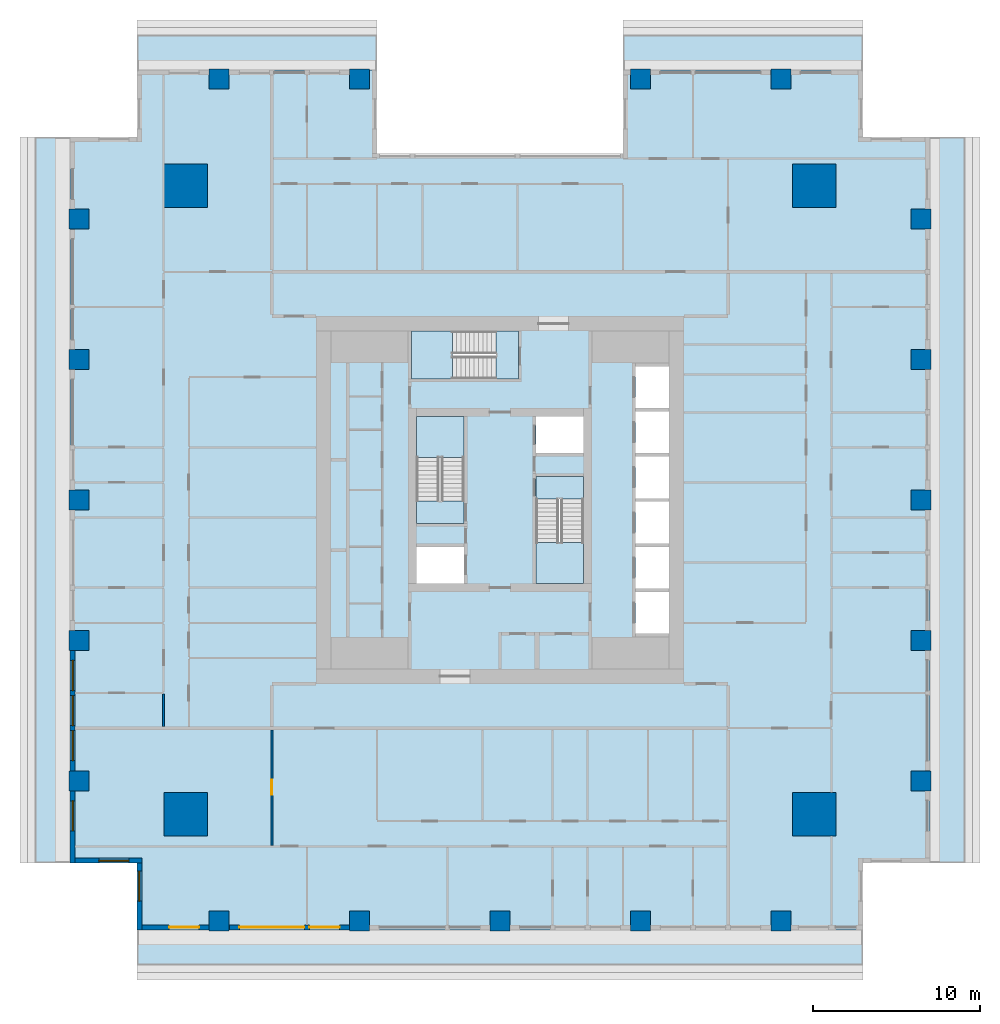
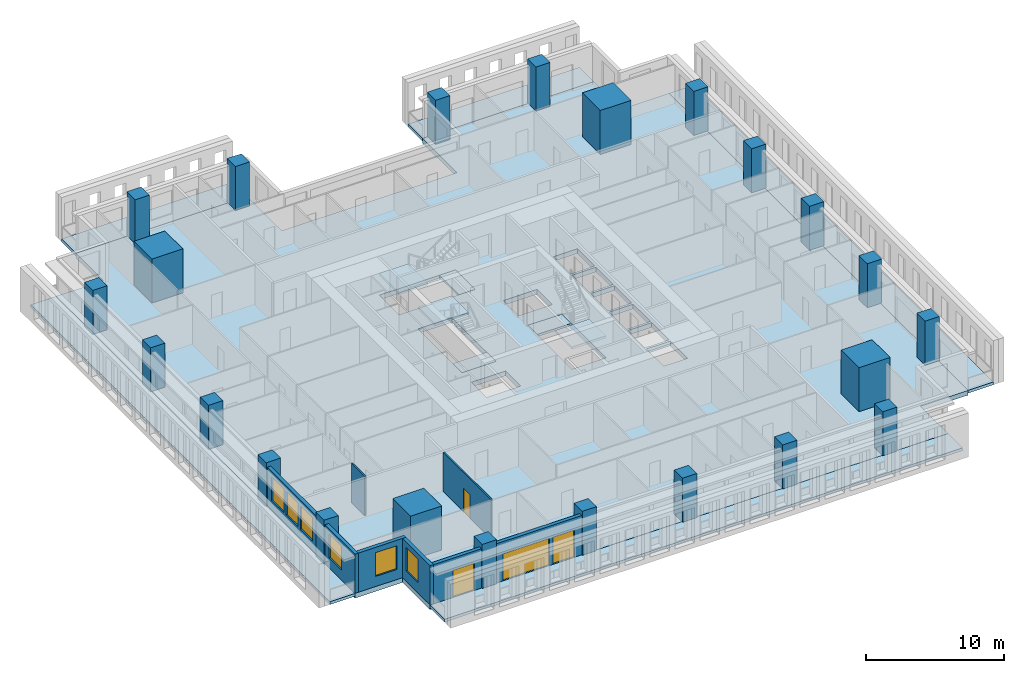
# One storey, part 1 of 16: 23 columns, 12 slabs, 8 walls, 6 windows, 4 doors, 10 openings, 3 elements without a shape of their own.
"""IFC4 building model written with IfcOpenShell, lengths in metres."""

import ifcopenshell
import ifcopenshell.guid

model = None  # the IFC model being written
_history = None  # IfcOwnerHistory: only IFC2X3 demands one
_inside = {}  # id of a spatial element -> (the spatial element, [elements in it])
_under = {}  # id of a project, library or spatial element -> (it, [spatial elements below it])
_declared = {}  # id of a project -> (the project, [libraries it declares])
_typed = {}  # id of a type object -> (the type object, [elements of that type])
_made_of = {}  # id of a material, layer set ... -> (it, [elements and type objects made of it])


def new_model(schema):
    """Start an empty IFC model of exactly this schema.

    Asked for "IFC4X3", IfcOpenShell would pick the latest addendum, in which some entities
    have other attributes; the version numbers below select the first issue.
    IFC2X3 requires an IfcOwnerHistory on every rooted entity: one is made here for all.
    """
    global model, _history
    if schema == "IFC4X3":
        model = ifcopenshell.file(schema_version=(4, 3, 0, 0))
    else:
        model = ifcopenshell.file(schema=schema)
    _inside.clear()
    _under.clear()
    _declared.clear()
    _typed.clear()
    _made_of.clear()
    _history = None
    if model.schema == "IFC2X3":
        org = make("IfcOrganization", Name="unknown")
        user = make(
            "IfcPersonAndOrganization",
            ThePerson=make("IfcPerson", FamilyName="unknown"),
            TheOrganization=org,
        )
        app = make(
            "IfcApplication",
            ApplicationDeveloper=org,
            Version="unknown",
            ApplicationFullName="unknown",
            ApplicationIdentifier="unknown",
        )
        _history = make(
            "IfcOwnerHistory",
            OwningUser=user,
            OwningApplication=app,
            ChangeAction="ADDED",
            CreationDate=0,
        )
    return model


def make(cls, **values):
    """One entity of the class cls with the attributes given. An attribute that is None is left unset."""
    return model.create_entity(
        cls, **{name: value for name, value in values.items() if value is not None}
    )


def rooted(cls, **values):
    """An entity with a GlobalId (a new one), such as an element, a storey or a relation."""
    return make(cls, GlobalId=ifcopenshell.guid.new(), OwnerHistory=_history, **values)


def si_unit(unit_type, name, prefix=None):
    """IfcSIUnit, for example si_unit("LENGTHUNIT", "METRE", prefix="MILLI")."""
    return make("IfcSIUnit", UnitType=unit_type, Prefix=prefix, Name=name)


def assignment(units):
    """IfcUnitAssignment: the units of a project."""
    return None if units is None else make("IfcUnitAssignment", Units=units)


def point(xyz):
    """IfcCartesianPoint."""
    return None if xyz is None else make("IfcCartesianPoint", Coordinates=xyz)


def direction(xyz):
    """IfcDirection."""
    return None if xyz is None else make("IfcDirection", DirectionRatios=xyz)


def frame(location, z_axis=None, x_axis=None):
    """IfcAxis2Placement3D, a coordinate frame: its origin and axes. An axis left out is left unset."""
    return make(
        "IfcAxis2Placement3D",
        Location=point(location),
        Axis=direction(z_axis),
        RefDirection=direction(x_axis),
    )


def frame_2d(location, x_axis=None):
    """IfcAxis2Placement2D, a coordinate frame in the plane: its origin and x axis."""
    return make(
        "IfcAxis2Placement2D", Location=point(location), RefDirection=direction(x_axis)
    )


def origin():
    """The frame at (0, 0, 0) with its axes left unset."""
    return frame((0.0, 0.0, 0.0))


def origin_2d():
    """The frame at (0, 0) in the plane with its x axis left unset."""
    return frame_2d((0.0, 0.0))


def place(relative_to, where):
    """IfcLocalPlacement: puts the frame where relative to a parent placement (None: the world)."""
    return make(
        "IfcLocalPlacement", PlacementRelTo=relative_to, RelativePlacement=where
    )


def context(
    kind, dimensions, precision=None, world=None, true_north=None, identifier=None
):
    """IfcGeometricRepresentationContext, for example the 3D "Model" context."""
    return make(
        "IfcGeometricRepresentationContext",
        ContextIdentifier=identifier,
        ContextType=kind,
        CoordinateSpaceDimension=dimensions,
        Precision=precision,
        WorldCoordinateSystem=world,
        TrueNorth=true_north,
    )


def subcontext(parent, identifier, kind, view, scale=None):
    """IfcGeometricRepresentationSubContext, for example "Body" below "Model"."""
    return make(
        "IfcGeometricRepresentationSubContext",
        ContextIdentifier=identifier,
        ContextType=kind,
        ParentContext=parent,
        TargetScale=scale,
        TargetView=view,
    )


def project(units=None, contexts=None):
    """IfcProject with its units and contexts."""
    return rooted(
        "IfcProject",
        Name="project",
        RepresentationContexts=contexts,
        UnitsInContext=assignment(units),
    )


def spatial(cls, under=None, at=None, **own):
    """A site, building, storey or space (cls), placed at a placement, below another one or the project."""
    s = rooted(cls, ObjectPlacement=at, **own)
    if under is not None:
        _under.setdefault(under.id(), (under, []))[1].append(s)
    return s


def polyline(points):
    """IfcPolyline through the points."""
    return make("IfcPolyline", Points=[point(p) for p in points])


def profile(cls, at=None, kind="AREA", **sizes):
    """A parametric profile (cls). Its sizes go by their IFC names, for example OverallWidth=200.0."""
    return make(cls, ProfileType=kind, Position=at, **sizes)


def rectangle(**sizes):
    """IfcRectangleProfileDef."""
    return profile("IfcRectangleProfileDef", **sizes)


def outline(outer, holes=None, kind="AREA"):
    """IfcArbitraryClosedProfileDef: a profile drawn as a closed curve; with holes, ...WithVoids."""
    if holes is None:
        return make("IfcArbitraryClosedProfileDef", ProfileType=kind, OuterCurve=outer)
    return make(
        "IfcArbitraryProfileDefWithVoids",
        ProfileType=kind,
        OuterCurve=outer,
        InnerCurves=holes,
    )


def extrude(swept, where, along, depth):
    """IfcExtrudedAreaSolid: the profile swept, set in the frame where, extruded along a direction by depth."""
    return make(
        "IfcExtrudedAreaSolid",
        SweptArea=swept,
        Position=where,
        ExtrudedDirection=direction(along),
        Depth=depth,
    )


def shape(context_of_items, identifier, shape_type, items):
    """IfcShapeRepresentation: the items that make up one representation, for example the "Body"."""
    return make(
        "IfcShapeRepresentation",
        ContextOfItems=context_of_items,
        RepresentationIdentifier=identifier,
        RepresentationType=shape_type,
        Items=items,
    )


def material(Name=None, Category=None):
    """IfcMaterial."""
    return make("IfcMaterial", Name=Name, Category=Category)


def layer(
    of_material, thickness, ventilated=None, Name=None, Category=None, Priority=None
):
    """IfcMaterialLayer: one layer of a wall or slab, of a material (None: an air gap)."""
    return make(
        "IfcMaterialLayer",
        Material=of_material,
        LayerThickness=thickness,
        IsVentilated=ventilated,
        Name=Name,
        Category=Category,
        Priority=Priority,
    )


def layer_set(layers, Name=None):
    """IfcMaterialLayerSet."""
    return make("IfcMaterialLayerSet", MaterialLayers=layers, LayerSetName=Name)


def material_profile(
    of_material, cross_section, Name=None, Category=None, Priority=None
):
    """IfcMaterialProfile: a cross section and its material."""
    return make(
        "IfcMaterialProfile",
        Name=Name,
        Material=of_material,
        Profile=cross_section,
        Priority=Priority,
        Category=Category,
    )


def profile_set(profiles, Name=None, composite=None):
    """IfcMaterialProfileSet."""
    return make(
        "IfcMaterialProfileSet",
        Name=Name,
        MaterialProfiles=profiles,
        CompositeProfile=composite,
    )


def made_of(thing, what):
    """Note that an element or type object is made of a material, layer set ...; save() writes the relation."""
    if what is not None:
        _made_of.setdefault(what.id(), (what, []))[1].append(thing)
    return thing


def type_object(cls, material=None, **own):
    """A type object (cls), such as IfcWallType, which elements share."""
    return made_of(rooted(cls, **own), material)


def element(
    cls,
    number,
    at=None,
    inside=None,
    cuts=None,
    type_object=None,
    material=None,
    context=None,
    identifier="Body",
    shape_type=None,
    held_by="IfcProductDefinitionShape",
    body=None,
    shapes=None,
    **own,
):
    """One element of the class cls, such as IfcWall. Its Tag is "e" and its number.

    at: its placement. inside: the storey or other place that contains it. cuts: it is an
    opening in that element (IfcRelVoidsElement). A single representation is given by context,
    identifier, shape_type and body (its items); several are given by shapes. held_by: the class
    of the entity that holds the representations. save() writes the other relations.
    """
    e = rooted(cls, Tag="e%d" % number, ObjectPlacement=at, **own)
    if body is not None:
        shapes = [shape(context, identifier, shape_type, body)]
    if shapes is not None:
        e.Representation = make(held_by, Representations=shapes)
    if inside is not None:
        _inside.setdefault(inside.id(), (inside, []))[1].append(e)
    if cuts is not None:
        rooted(
            "IfcRelVoidsElement", RelatingBuildingElement=cuts, RelatedOpeningElement=e
        )
    if type_object is not None:
        _typed.setdefault(type_object.id(), (type_object, []))[1].append(e)
    return made_of(e, material)


def fill(opening, filler):
    """IfcRelFillsElement: the door or window that sits in an opening."""
    return rooted(
        "IfcRelFillsElement",
        RelatingOpeningElement=opening,
        RelatedBuildingElement=filler,
    )


def aggregate(whole, parts):
    """IfcRelAggregates: a whole, such as a stair, and the parts it consists of."""
    return rooted("IfcRelAggregates", RelatingObject=whole, RelatedObjects=parts)


def save(model, path):
    """Write the relations noted so far, then the file.

    IfcRelAggregates (storeys below a building ...), IfcRelContainedInSpatialStructure (elements
    in a storey), IfcRelDefinesByType, IfcRelAssociatesMaterial and IfcRelDeclares: one each for
    every whole, place, type object, material and project.
    """
    for whole, parts in _under.values():
        aggregate(whole, parts)
    for where, things in _inside.values():
        rooted(
            "IfcRelContainedInSpatialStructure",
            RelatedElements=things,
            RelatingStructure=where,
        )
    for kind, things in _typed.values():
        rooted("IfcRelDefinesByType", RelatedObjects=things, RelatingType=kind)
    for what, things in _made_of.values():
        rooted("IfcRelAssociatesMaterial", RelatedObjects=things, RelatingMaterial=what)
    for by, libraries in _declared.values():
        rooted("IfcRelDeclares", RelatingContext=by, RelatedDefinitions=libraries)
    model.write(path)


model = new_model("IFC4")

# Units and contexts
model_context = context("Model", 3, precision=1e-05, world=origin(), true_north=direction((0.0, 1.0)))
body_context = subcontext(model_context, "Body", "Model", "MODEL_VIEW")
ifc_project = project(units=[si_unit("LENGTHUNIT", "METRE"), si_unit("AREAUNIT", "SQUARE_METRE"), si_unit("VOLUMEUNIT", "CUBIC_METRE"), si_unit("PLANEANGLEUNIT", "RADIAN"), si_unit("MASSUNIT", "GRAM", prefix="KILO")], contexts=[model_context])

# Site, building, storey
site_placement = place(None, origin())
site = spatial("IfcSite", under=ifc_project, at=site_placement, CompositionType="ELEMENT")
building_placement = place(site_placement, origin())
building = spatial("IfcBuilding", under=site, at=building_placement, Name="Khepri Terraces", CompositionType="ELEMENT")
storey_placement = place(building_placement, frame((0.0, 0.0, 153.300048828125)))
storey = spatial("IfcBuildingStorey", under=building, at=storey_placement, Name="L36", CompositionType="ELEMENT", Elevation=153.300048828125)

# Columns
ifc_material_1 = material(Name="Concrete C60/75", Category="concrete")
ifc_material_profile_1 = material_profile(ifc_material_1, rectangle(XDim=2.60009765625, YDim=2.60009765625, at=origin_2d()), Name="Concrete C60/75", Category="concrete")
ifc_profile_set_1 = profile_set([ifc_material_profile_1], Name="Concrete C60/75")
column_type_1 = type_object("IfcColumnType", Name="Mega column RC 2600x2600 C60/75", PredefinedType="COLUMN", material=ifc_profile_set_1)
for number, where, z_axis, x_axis, name in (
    (1, (18.800048828125, 18.800048828125, 0.0), (0.0, 0.0, 1.0), (1.0, 0.0, 0.0), "Mega column MEN L36"),
    (2, (18.800048828125, -18.800048828125, 0.0), (0.0, 0.0, 1.0), (1.0, 0.0, 0.0), "Mega column MES L36"),
    (3, (-18.800048828125, 18.800048828125, 0.0), (0.0, 0.0, 1.0), (1.0, 0.0, 0.0), "Mega column MWN L36"),
    (4, (-18.800048828125, -18.800048828125, 0.0), (0.0, 0.0, 1.0), (1.0, 0.0, 0.0), "Mega column MWS L36"),
):
    element("IfcColumn", number, at=place(storey_placement, frame(where, z_axis=z_axis, x_axis=x_axis)), inside=storey, type_object=column_type_1, Name=name, PredefinedType="COLUMN", context=body_context, shape_type="SweptSolid", body=[
        extrude(rectangle(XDim=2.60009765625, YDim=2.60009765625, at=origin_2d()), origin(), (0.0, 0.0, 1.0), 3.89990234375),
    ])
ifc_material_profile_2 = material_profile(ifc_material_1, rectangle(XDim=1.199951171875, YDim=1.199951171875, at=origin_2d()), Name="Concrete C60/75", Category="concrete")
ifc_profile_set_2 = profile_set([ifc_material_profile_2], Name="Concrete C60/75")
column_type_2 = type_object("IfcColumnType", Name="Tower column RC 1200x1200 C60/75", PredefinedType="COLUMN", material=ifc_profile_set_2)
for number, where, z_axis, x_axis, name in (
    (5, (25.199951171875, 0.0, 0.0), (0.0, 0.0, 1.0), (1.0, 0.0, 0.0), "Perimeter column PE+000a L36"),
    (6, (25.199951171875, 8.39990234375, 0.0), (0.0, 0.0, 1.0), (1.0, 0.0, 0.0), "Perimeter column PE+084a L36"),
    (7, (25.199951171875, 16.800048828125, 0.0), (0.0, 0.0, 1.0), (1.0, 0.0, 0.0), "Perimeter column PE+168a L36"),
    (8, (25.199951171875, -8.39990234375, 0.0), (0.0, 0.0, 1.0), (1.0, 0.0, 0.0), "Perimeter column PE-084a L36"),
    (9, (25.199951171875, -16.800048828125, 0.0), (0.0, 0.0, 1.0), (1.0, 0.0, 0.0), "Perimeter column PE-168a L36"),
    (10, (-8.39990234375, 25.199951171875, 0.0), (0.0, 0.0, 1.0), (1.0, 0.0, 0.0), "Perimeter column PN+084a L36"),
    (11, (-16.800048828125, 25.199951171875, 0.0), (0.0, 0.0, 1.0), (1.0, 0.0, 0.0), "Perimeter column PN+168a L36"),
    (12, (8.39990234375, 25.199951171875, 0.0), (0.0, 0.0, 1.0), (1.0, 0.0, 0.0), "Perimeter column PN-084a L36"),
    (13, (16.800048828125, 25.199951171875, 0.0), (0.0, 0.0, 1.0), (1.0, 0.0, 0.0), "Perimeter column PN-168a L36"),
    (14, (0.0, -25.199951171875, 0.0), (0.0, 0.0, 1.0), (1.0, 0.0, 0.0), "Perimeter column PS+000b L36"),
    (15, (8.39990234375, -25.199951171875, 0.0), (0.0, 0.0, 1.0), (1.0, 0.0, 0.0), "Perimeter column PS+084b L36"),
    (16, (16.800048828125, -25.199951171875, 0.0), (0.0, 0.0, 1.0), (1.0, 0.0, 0.0), "Perimeter column PS+168a L36"),
    (17, (-8.39990234375, -25.199951171875, 0.0), (0.0, 0.0, 1.0), (1.0, 0.0, 0.0), "Perimeter column PS-084b L36"),
    (18, (-16.800048828125, -25.199951171875, 0.0), (0.0, 0.0, 1.0), (1.0, 0.0, 0.0), "Perimeter column PS-168a L36"),
    (19, (-25.199951171875, 0.0, 0.0), (0.0, 0.0, 1.0), (1.0, 0.0, 0.0), "Perimeter column PW+000b L36"),
    (20, (-25.199951171875, -8.39990234375, 0.0), (0.0, 0.0, 1.0), (1.0, 0.0, 0.0), "Perimeter column PW+084b L36"),
    (21, (-25.199951171875, -16.800048828125, 0.0), (0.0, 0.0, 1.0), (1.0, 0.0, 0.0), "Perimeter column PW+168a L36"),
    (22, (-25.199951171875, 8.39990234375, 0.0), (0.0, 0.0, 1.0), (1.0, 0.0, 0.0), "Perimeter column PW-084b L36"),
    (23, (-25.199951171875, 16.800048828125, 0.0), (0.0, 0.0, 1.0), (1.0, 0.0, 0.0), "Perimeter column PW-168a L36"),
):
    element("IfcColumn", number, at=place(storey_placement, frame(where, z_axis=z_axis, x_axis=x_axis)), inside=storey, type_object=column_type_2, Name=name, PredefinedType="COLUMN", context=body_context, shape_type="SweptSolid", body=[
        extrude(rectangle(XDim=1.199951171875, YDim=1.199951171875, at=origin_2d()), origin(), (0.0, 0.0, 1.0), 3.89990234375),
    ])

# Slabs
ifc_material_2 = material(Name="Concrete C40/50", Category="concrete")
ifc_layer_1 = layer(ifc_material_2, 0.419921875, Name="Concrete C40/50", Category="concrete")
ifc_layer_set_1 = layer_set([ifc_layer_1], Name="Concrete C40/50")
slab_type_1 = type_object("IfcSlabType", Name="Flat plate 420", PredefinedType="FLOOR", material=ifc_layer_set_1)
slab_1_placement = place(storey_placement, frame((0.0, 0.0, -0.420166015625)))
element("IfcSlab", 24, at=slab_1_placement, inside=storey, type_object=slab_type_1, Name="Floor slab F01 L36", PredefinedType="FLOOR", context=body_context, shape_type="SweptSolid", body=[
    extrude(outline(polyline([(7.35009765625, 25.719970703125), (21.719970703125, 25.719970703125), (21.719970703125, 21.719970703125), (25.719970703125, 21.719970703125), (25.719970703125, -21.719970703125), (21.719970703125, -21.719970703125), (21.719970703125, -25.719970703125), (-21.719970703125, -25.719970703125), (-21.719970703125, -21.719970703125), (-25.719970703125, -21.719970703125), (-25.719970703125, 21.719970703125), (-21.719970703125, 21.719970703125), (-21.719970703125, 25.719970703125), (-7.35009765625, 25.719970703125), (-7.35009765625, 20.719970703125), (7.35009765625, 20.719970703125), (7.35009765625, 25.719970703125)]), holes=[polyline([(2.14990234375, 2.800048828125), (5.0, 2.800048828125), (5.0, 5.0), (2.14990234375, 5.0), (2.14990234375, 2.800048828125)]), polyline([(-5.0, -2.800048828125), (-5.0, -5.0), (-2.14990234375, -5.0), (-2.14990234375, -2.800048828125), (-5.0, -2.800048828125)]), polyline([(10.10009765625, -5.5), (8.10009765625, -5.5), (8.10009765625, -8.0), (10.10009765625, -8.0), (10.10009765625, -5.5)]), polyline([(10.10009765625, -5.300048828125), (10.10009765625, -2.800048828125), (8.10009765625, -2.800048828125), (8.10009765625, -5.300048828125), (10.10009765625, -5.300048828125)]), polyline([(8.10009765625, -2.60009765625), (10.10009765625, -2.60009765625), (10.10009765625, -0.10009765625), (8.10009765625, -0.10009765625), (8.10009765625, -2.60009765625)]), polyline([(8.10009765625, 2.60009765625), (8.10009765625, 0.10009765625), (10.10009765625, 0.10009765625), (10.10009765625, 2.60009765625), (8.10009765625, 2.60009765625)]), polyline([(10.10009765625, 5.300048828125), (8.10009765625, 5.300048828125), (8.10009765625, 2.800048828125), (10.10009765625, 2.800048828125), (10.10009765625, 5.300048828125)]), polyline([(10.10009765625, 5.5), (10.10009765625, 8.0), (8.10009765625, 8.0), (8.10009765625, 5.5), (10.10009765625, 5.5)]), polyline([(-5.0, -1.39990234375), (-2.14990234375, -1.39990234375), (-2.14990234375, 5.0), (-5.0, 5.0), (-5.0, -1.39990234375)]), polyline([(5.0, -5.0), (5.0, 1.39990234375), (2.14990234375, 1.39990234375), (2.14990234375, -5.0), (5.0, -5.0)]), polyline([(-5.300048828125, 10.10009765625), (-5.300048828125, 7.25), (1.10009765625, 7.25), (1.10009765625, 10.10009765625), (-5.300048828125, 10.10009765625)])]), origin(), (0.0, 0.0, 1.0), 0.420166015625),
])
ifc_material_3 = material(Name="Precast concrete C50/60 warm stone", Category="masonry")
ifc_layer_2 = layer(ifc_material_3, 0.25, Name="Precast concrete C50/60 warm stone", Category="masonry")
ifc_layer_set_2 = layer_set([ifc_layer_2], Name="Precast concrete C50/60 warm stone")
slab_type_2 = type_object("IfcSlabType", Name="SLB-BALCONY-250", PredefinedType="FLOOR", material=ifc_layer_set_2)
slab_2_placement = place(storey_placement, frame((0.0, 0.0, -0.25)))
element("IfcSlab", 25, at=slab_2_placement, inside=storey, type_object=slab_type_2, Name="Balcony slab L36 S", PredefinedType="FLOOR", context=body_context, shape_type="SweptSolid", body=[
    extrude(outline(polyline([(-17.39990234375, -25.719970703125), (-21.719970703125, -25.719970703125), (-21.719970703125, -27.820068359375), (21.719970703125, -27.820068359375), (21.719970703125, -25.719970703125), (17.39990234375, -25.719970703125), (17.39990234375, -25.800048828125), (16.199951171875, -25.800048828125), (16.199951171875, -25.719970703125), (9.0, -25.719970703125), (9.0, -25.800048828125), (7.800048828125, -25.800048828125), (7.800048828125, -25.719970703125), (0.60009765625, -25.719970703125), (0.60009765625, -25.800048828125), (-0.60009765625, -25.800048828125), (-0.60009765625, -25.719970703125), (-7.800048828125, -25.719970703125), (-7.800048828125, -25.800048828125), (-9.0, -25.800048828125), (-9.0, -25.719970703125), (-16.199951171875, -25.719970703125), (-16.199951171875, -25.800048828125), (-17.39990234375, -25.800048828125), (-17.39990234375, -25.719970703125)])), origin(), (0.0, 0.0, 1.0), 0.25),
])
slab_3_placement = place(storey_placement, frame((0.0, 0.0, -0.25)))
element("IfcSlab", 26, at=slab_3_placement, inside=storey, type_object=slab_type_2, Name="Balcony slab L36 E", PredefinedType="FLOOR", context=body_context, shape_type="SweptSolid", body=[
    extrude(outline(polyline([(25.719970703125, -17.39990234375), (25.719970703125, -21.719970703125), (27.820068359375, -21.719970703125), (27.820068359375, 21.719970703125), (25.719970703125, 21.719970703125), (25.719970703125, 17.39990234375), (25.800048828125, 17.39990234375), (25.800048828125, 16.199951171875), (25.719970703125, 16.199951171875), (25.719970703125, 9.0), (25.800048828125, 9.0), (25.800048828125, 7.800048828125), (25.719970703125, 7.800048828125), (25.719970703125, 0.60009765625), (25.800048828125, 0.60009765625), (25.800048828125, -0.60009765625), (25.719970703125, -0.60009765625), (25.719970703125, -7.800048828125), (25.800048828125, -7.800048828125), (25.800048828125, -9.0), (25.719970703125, -9.0), (25.719970703125, -16.199951171875), (25.800048828125, -16.199951171875), (25.800048828125, -17.39990234375), (25.719970703125, -17.39990234375)])), origin(), (0.0, 0.0, 1.0), 0.25),
])
slab_4_placement = place(storey_placement, frame((0.0, 0.0, -0.25)))
element("IfcSlab", 27, at=slab_4_placement, inside=storey, type_object=slab_type_2, Name="Balcony slab L36 N", PredefinedType="FLOOR", context=body_context, shape_type="SweptSolid", body=[
    extrude(outline(polyline([(17.39990234375, 25.719970703125), (21.719970703125, 25.719970703125), (21.719970703125, 27.820068359375), (7.35009765625, 27.820068359375), (7.35009765625, 25.719970703125), (7.800048828125, 25.719970703125), (7.800048828125, 25.800048828125), (9.0, 25.800048828125), (9.0, 25.719970703125), (16.199951171875, 25.719970703125), (16.199951171875, 25.800048828125), (17.39990234375, 25.800048828125), (17.39990234375, 25.719970703125)])), origin(), (0.0, 0.0, 1.0), 0.25),
])
slab_5_placement = place(storey_placement, frame((0.0, 0.0, -0.25)))
element("IfcSlab", 28, at=slab_5_placement, inside=storey, type_object=slab_type_2, Name="Balcony slab L36 N", PredefinedType="FLOOR", context=body_context, shape_type="SweptSolid", body=[
    extrude(outline(polyline([(-7.800048828125, 25.719970703125), (-7.35009765625, 25.719970703125), (-7.35009765625, 27.820068359375), (-21.719970703125, 27.820068359375), (-21.719970703125, 25.719970703125), (-17.39990234375, 25.719970703125), (-17.39990234375, 25.800048828125), (-16.199951171875, 25.800048828125), (-16.199951171875, 25.719970703125), (-9.0, 25.719970703125), (-9.0, 25.800048828125), (-7.800048828125, 25.800048828125), (-7.800048828125, 25.719970703125)])), origin(), (0.0, 0.0, 1.0), 0.25),
])
slab_6_placement = place(storey_placement, frame((0.0, 0.0, -0.25)))
element("IfcSlab", 29, at=slab_6_placement, inside=storey, type_object=slab_type_2, Name="Balcony slab L36 W", PredefinedType="FLOOR", context=body_context, shape_type="SweptSolid", body=[
    extrude(outline(polyline([(-25.719970703125, 17.39990234375), (-25.719970703125, 21.719970703125), (-27.820068359375, 21.719970703125), (-27.820068359375, -21.719970703125), (-25.719970703125, -21.719970703125), (-25.719970703125, -17.39990234375), (-25.800048828125, -17.39990234375), (-25.800048828125, -16.199951171875), (-25.719970703125, -16.199951171875), (-25.719970703125, -9.0), (-25.800048828125, -9.0), (-25.800048828125, -7.800048828125), (-25.719970703125, -7.800048828125), (-25.719970703125, -0.60009765625), (-25.800048828125, -0.60009765625), (-25.800048828125, 0.60009765625), (-25.719970703125, 0.60009765625), (-25.719970703125, 7.800048828125), (-25.800048828125, 7.800048828125), (-25.800048828125, 9.0), (-25.719970703125, 9.0), (-25.719970703125, 16.199951171875), (-25.800048828125, 16.199951171875), (-25.800048828125, 17.39990234375), (-25.719970703125, 17.39990234375)])), origin(), (0.0, 0.0, 1.0), 0.25),
])

# Stair, slabs
stair_type = type_object("IfcStairType", Name="STAIR-RC-22R", PredefinedType="HALF_TURN_STAIR", material=ifc_material_2)
stair_1_placement = place(storey_placement, origin())
stair_1 = element("IfcStair", 30, at=stair_1_placement, inside=storey, type_object=stair_type, Name="L36 Exit Stair ST-1", PredefinedType="HALF_TURN_STAIR")
ifc_layer_3 = layer(ifc_material_2, 0.199951171875, Name="Concrete C40/50", Category="concrete")
ifc_layer_set_3 = layer_set([ifc_layer_3], Name="Concrete C40/50")
slab_type_3 = type_object("IfcSlabType", Name="SLB-CORE-LANDING", PredefinedType="LANDING", material=ifc_layer_set_3)
slab_7_placement = place(storey_placement, frame((0.0, 0.0, -0.199951171875)))
slab_7 = element("IfcSlab", 31, at=slab_7_placement, type_object=slab_type_3, Name="ST-1 landing 1", PredefinedType="LANDING", context=body_context, shape_type="SweptSolid", body=[
    extrude(outline(polyline([(-2.14990234375, -1.39990234375), (-2.14990234375, -0.050048828125), (-5.0, -0.050048828125), (-5.0, -1.39990234375), (-2.14990234375, -1.39990234375)])), origin(), (0.0, 0.0, 1.0), 0.199951171875),
])
slab_8_placement = place(storey_placement, frame((0.0, 0.0, 1.75)))
slab_8 = element("IfcSlab", 32, at=slab_8_placement, type_object=slab_type_3, Name="ST-1 landing 2", PredefinedType="LANDING", context=body_context, shape_type="SweptSolid", body=[
    extrude(outline(polyline([(-2.14990234375, 2.550048828125), (-2.14990234375, 5.0), (-5.0, 5.0), (-5.0, 2.550048828125), (-2.14990234375, 2.550048828125)])), origin(), (0.0, 0.0, 1.0), 0.199951171875),
])
aggregate(stair_1, [slab_7, slab_8])

stair_2_placement = place(storey_placement, origin())
stair_2 = element("IfcStair", 33, at=stair_2_placement, inside=storey, type_object=stair_type, Name="L36 Exit Stair ST-2", PredefinedType="HALF_TURN_STAIR")
slab_9_placement = place(storey_placement, frame((0.0, 0.0, -0.199951171875)))
slab_9 = element("IfcSlab", 34, at=slab_9_placement, type_object=slab_type_3, Name="ST-2 landing 1", PredefinedType="LANDING", context=body_context, shape_type="SweptSolid", body=[
    extrude(outline(polyline([(2.14990234375, 1.39990234375), (2.14990234375, 0.050048828125), (5.0, 0.050048828125), (5.0, 1.39990234375), (2.14990234375, 1.39990234375)])), origin(), (0.0, 0.0, 1.0), 0.199951171875),
])
slab_10_placement = place(storey_placement, frame((0.0, 0.0, 1.75)))
slab_10 = element("IfcSlab", 35, at=slab_10_placement, type_object=slab_type_3, Name="ST-2 landing 2", PredefinedType="LANDING", context=body_context, shape_type="SweptSolid", body=[
    extrude(outline(polyline([(2.14990234375, -2.550048828125), (2.14990234375, -5.0), (5.0, -5.0), (5.0, -2.550048828125), (2.14990234375, -2.550048828125)])), origin(), (0.0, 0.0, 1.0), 0.199951171875),
])
aggregate(stair_2, [slab_9, slab_10])

stair_3_placement = place(storey_placement, origin())
stair_3 = element("IfcStair", 36, at=stair_3_placement, inside=storey, type_object=stair_type, Name="L36 Exit Stair ST-3", PredefinedType="HALF_TURN_STAIR")
slab_11_placement = place(storey_placement, frame((0.0, 0.0, -0.199951171875)))
slab_11 = element("IfcSlab", 37, at=slab_11_placement, type_object=slab_type_3, Name="ST-3 landing 1", PredefinedType="LANDING", context=body_context, shape_type="SweptSolid", body=[
    extrude(outline(polyline([(1.10009765625, 10.10009765625), (-0.25, 10.10009765625), (-0.25, 7.25), (1.10009765625, 7.25), (1.10009765625, 10.10009765625)])), origin(), (0.0, 0.0, 1.0), 0.199951171875),
])
slab_12_placement = place(storey_placement, frame((0.0, 0.0, 1.75)))
slab_12 = element("IfcSlab", 38, at=slab_12_placement, type_object=slab_type_3, Name="ST-3 landing 2", PredefinedType="LANDING", context=body_context, shape_type="SweptSolid", body=[
    extrude(outline(polyline([(-2.85009765625, 10.10009765625), (-5.300048828125, 10.10009765625), (-5.300048828125, 7.25), (-2.85009765625, 7.25), (-2.85009765625, 10.10009765625)])), origin(), (0.0, 0.0, 1.0), 0.199951171875),
])
aggregate(stair_3, [slab_11, slab_12])

# Wall, openings, windows
ifc_layer_4 = layer(ifc_material_3, 0.300048828125, Name="Precast concrete C50/60 warm stone", Category="masonry")
ifc_layer_set_4 = layer_set([ifc_layer_4], Name="Precast concrete C50/60 warm stone")
wall_type_1 = type_object("IfcWallType", Name="WL-EXT-PRECAST-300", PredefinedType="STANDARD", material=ifc_layer_set_4)
wall_1_placement = place(storey_placement, frame((-25.570068359375, -9.0, 0.0), z_axis=(0.0, 0.0, 1.0), x_axis=(0.0, -1.0, 0.0)))
wall_1 = element("IfcWall", 39, at=wall_1_placement, inside=storey, type_object=wall_type_1, Name="External wall L36 W", PredefinedType="STANDARD", context=body_context, shape_type="SweptSolid", body=[
    extrude(rectangle(XDim=7.199951171875, YDim=0.300048828125, at=frame_2d((3.60009765625, 0.0))), origin(), (0.0, 0.0, 1.0), 3.47998046875),
])
opening_1_placement = place(wall_1_placement, frame((0.60009765625, 0.0, 0.89990234375)))
opening_1 = element("IfcOpeningElement", 40, at=opening_1_placement, cuts=wall_1, Name="Opening W1", PredefinedType="OPENING", context=body_context, shape_type="SweptSolid", body=[
    extrude(rectangle(XDim=1.800048828125, YDim=2.10009765625, at=frame_2d((0.89990234375, 1.050048828125))), frame((0.0, 0.16015625, 0.0), z_axis=(0.0, -1.0, 0.0), x_axis=(1.0, 0.0, 0.0)), (0.0, 0.0, 1.0), 0.320068359375),
])
opening_2_placement = place(wall_1_placement, frame((2.699951171875, 0.0, 0.89990234375)))
opening_2 = element("IfcOpeningElement", 41, at=opening_2_placement, cuts=wall_1, Name="Opening W1", PredefinedType="OPENING", context=body_context, shape_type="SweptSolid", body=[
    extrude(rectangle(XDim=1.800048828125, YDim=2.10009765625, at=frame_2d((0.89990234375, 1.050048828125))), frame((0.0, 0.16015625, 0.0), z_axis=(0.0, -1.0, 0.0), x_axis=(1.0, 0.0, 0.0)), (0.0, 0.0, 1.0), 0.320068359375),
])
opening_3_placement = place(wall_1_placement, frame((4.800048828125, 0.0, 0.89990234375)))
opening_3 = element("IfcOpeningElement", 42, at=opening_3_placement, cuts=wall_1, Name="Opening W1", PredefinedType="OPENING", context=body_context, shape_type="SweptSolid", body=[
    extrude(rectangle(XDim=1.800048828125, YDim=2.10009765625, at=frame_2d((0.89990234375, 1.050048828125))), frame((0.0, 0.16015625, 0.0), z_axis=(0.0, -1.0, 0.0), x_axis=(1.0, 0.0, 0.0)), (0.0, 0.0, 1.0), 0.320068359375),
])
ifc_material_4 = material(Name="Clear glass", Category="glass")
window_type = type_object("IfcWindowType", Name="WIN-RES-1800x2100", PartitioningType="SINGLE_PANEL", PredefinedType="WINDOW", material=ifc_material_4)
window_1_placement = place(opening_1_placement, origin())
window_1 = element("IfcWindow", 43, at=window_1_placement, inside=storey, type_object=window_type, Name="Window L36 W", OverallHeight=2.10009765625, OverallWidth=1.800048828125, PartitioningType="SINGLE_PANEL", PredefinedType="WINDOW", context=body_context, shape_type="SweptSolid", body=[
    extrude(rectangle(XDim=1.800048828125, YDim=2.10009765625, at=frame_2d((0.89990234375, 1.050048828125))), frame((0.0, 0.030029296875, 0.0), z_axis=(0.0, -1.0, 0.0), x_axis=(1.0, 0.0, 0.0)), (0.0, 0.0, 1.0), 0.06005859375),
])
fill(opening_1, window_1)
window_2_placement = place(opening_2_placement, origin())
window_2 = element("IfcWindow", 44, at=window_2_placement, inside=storey, type_object=window_type, Name="Window L36 W", OverallHeight=2.10009765625, OverallWidth=1.800048828125, PartitioningType="SINGLE_PANEL", PredefinedType="WINDOW", context=body_context, shape_type="SweptSolid", body=[
    extrude(rectangle(XDim=1.800048828125, YDim=2.10009765625, at=frame_2d((0.89990234375, 1.050048828125))), frame((0.0, 0.030029296875, 0.0), z_axis=(0.0, -1.0, 0.0), x_axis=(1.0, 0.0, 0.0)), (0.0, 0.0, 1.0), 0.06005859375),
])
fill(opening_2, window_2)
window_3_placement = place(opening_3_placement, origin())
window_3 = element("IfcWindow", 45, at=window_3_placement, inside=storey, type_object=window_type, Name="Window L36 W", OverallHeight=2.10009765625, OverallWidth=1.800048828125, PartitioningType="SINGLE_PANEL", PredefinedType="WINDOW", context=body_context, shape_type="SweptSolid", body=[
    extrude(rectangle(XDim=1.800048828125, YDim=2.10009765625, at=frame_2d((0.89990234375, 1.050048828125))), frame((0.0, 0.030029296875, 0.0), z_axis=(0.0, -1.0, 0.0), x_axis=(1.0, 0.0, 0.0)), (0.0, 0.0, 1.0), 0.06005859375),
])
fill(opening_3, window_3)

# Wall, opening, window
wall_2_placement = place(storey_placement, frame((-25.570068359375, -17.39990234375, 0.0), z_axis=(0.0, 0.0, 1.0), x_axis=(0.0, -1.0, 0.0)))
wall_2 = element("IfcWall", 46, at=wall_2_placement, inside=storey, type_object=wall_type_1, Name="External wall L36 W", PredefinedType="STANDARD", context=body_context, shape_type="SweptSolid", body=[
    extrude(rectangle(XDim=4.320068359375, YDim=0.300048828125, at=frame_2d((2.16015625, 0.0))), origin(), (0.0, 0.0, 1.0), 3.47998046875),
])
opening_4_placement = place(wall_2_placement, frame((0.60009765625, 0.0, 0.89990234375)))
opening_4 = element("IfcOpeningElement", 47, at=opening_4_placement, cuts=wall_2, Name="Opening W1", PredefinedType="OPENING", context=body_context, shape_type="SweptSolid", body=[
    extrude(rectangle(XDim=1.800048828125, YDim=2.10009765625, at=frame_2d((0.89990234375, 1.050048828125))), frame((0.0, 0.16015625, 0.0), z_axis=(0.0, -1.0, 0.0), x_axis=(1.0, 0.0, 0.0)), (0.0, 0.0, 1.0), 0.320068359375),
])
window_4_placement = place(opening_4_placement, origin())
window_4 = element("IfcWindow", 48, at=window_4_placement, inside=storey, type_object=window_type, Name="Window L36 W", OverallHeight=2.10009765625, OverallWidth=1.800048828125, PartitioningType="SINGLE_PANEL", PredefinedType="WINDOW", context=body_context, shape_type="SweptSolid", body=[
    extrude(rectangle(XDim=1.800048828125, YDim=2.10009765625, at=frame_2d((0.89990234375, 1.050048828125))), frame((0.0, 0.030029296875, 0.0), z_axis=(0.0, -1.0, 0.0), x_axis=(1.0, 0.0, 0.0)), (0.0, 0.0, 1.0), 0.06005859375),
])
fill(opening_4, window_4)

wall_3_placement = place(storey_placement, frame((-25.419921875, -21.570068359375, 0.0), z_axis=(0.0, 0.0, 1.0), x_axis=(1.0, 0.0, 0.0)))
wall_3 = element("IfcWall", 49, at=wall_3_placement, inside=storey, type_object=wall_type_1, Name="External wall L36 S", PredefinedType="STANDARD", context=body_context, shape_type="SweptSolid", body=[
    extrude(rectangle(XDim=4.0, YDim=0.300048828125, at=frame_2d((2.0, 0.0))), origin(), (0.0, 0.0, 1.0), 3.47998046875),
])
opening_5_placement = place(wall_3_placement, frame((1.419921875, 0.0, 0.89990234375)))
opening_5 = element("IfcOpeningElement", 50, at=opening_5_placement, cuts=wall_3, Name="Opening W1", PredefinedType="OPENING", context=body_context, shape_type="SweptSolid", body=[
    extrude(rectangle(XDim=1.800048828125, YDim=2.10009765625, at=frame_2d((0.89990234375, 1.050048828125))), frame((0.0, 0.16015625, 0.0), z_axis=(0.0, -1.0, 0.0), x_axis=(1.0, 0.0, 0.0)), (0.0, 0.0, 1.0), 0.320068359375),
])
window_5_placement = place(opening_5_placement, origin())
window_5 = element("IfcWindow", 51, at=window_5_placement, inside=storey, type_object=window_type, Name="Window L36 S", OverallHeight=2.10009765625, OverallWidth=1.800048828125, PartitioningType="SINGLE_PANEL", PredefinedType="WINDOW", context=body_context, shape_type="SweptSolid", body=[
    extrude(rectangle(XDim=1.800048828125, YDim=2.10009765625, at=frame_2d((0.89990234375, 1.050048828125))), frame((0.0, 0.030029296875, 0.0), z_axis=(0.0, -1.0, 0.0), x_axis=(1.0, 0.0, 0.0)), (0.0, 0.0, 1.0), 0.06005859375),
])
fill(opening_5, window_5)

wall_4_placement = place(storey_placement, frame((-21.570068359375, -21.719970703125, 0.0), z_axis=(0.0, 0.0, 1.0), x_axis=(0.0, -1.0, 0.0)))
wall_4 = element("IfcWall", 52, at=wall_4_placement, inside=storey, type_object=wall_type_1, Name="External wall L36 W", PredefinedType="STANDARD", context=body_context, shape_type="SweptSolid", body=[
    extrude(rectangle(XDim=4.0, YDim=0.300048828125, at=frame_2d((2.0, 0.0))), origin(), (0.0, 0.0, 1.0), 3.47998046875),
])
opening_6_placement = place(wall_4_placement, frame((0.47998046875, 0.0, 0.89990234375)))
opening_6 = element("IfcOpeningElement", 53, at=opening_6_placement, cuts=wall_4, Name="Opening W1", PredefinedType="OPENING", context=body_context, shape_type="SweptSolid", body=[
    extrude(rectangle(XDim=1.800048828125, YDim=2.10009765625, at=frame_2d((0.89990234375, 1.050048828125))), frame((0.0, 0.16015625, 0.0), z_axis=(0.0, -1.0, 0.0), x_axis=(1.0, 0.0, 0.0)), (0.0, 0.0, 1.0), 0.320068359375),
])
window_6_placement = place(opening_6_placement, origin())
window_6 = element("IfcWindow", 54, at=window_6_placement, inside=storey, type_object=window_type, Name="Window L36 W", OverallHeight=2.10009765625, OverallWidth=1.800048828125, PartitioningType="SINGLE_PANEL", PredefinedType="WINDOW", context=body_context, shape_type="SweptSolid", body=[
    extrude(rectangle(XDim=1.800048828125, YDim=2.10009765625, at=frame_2d((0.89990234375, 1.050048828125))), frame((0.0, 0.030029296875, 0.0), z_axis=(0.0, -1.0, 0.0), x_axis=(1.0, 0.0, 0.0)), (0.0, 0.0, 1.0), 0.06005859375),
])
fill(opening_6, window_6)

# Wall, opening, door
wall_5_placement = place(storey_placement, frame((-21.419921875, -25.570068359375, 0.0), z_axis=(0.0, 0.0, 1.0), x_axis=(1.0, 0.0, 0.0)))
wall_5 = element("IfcWall", 55, at=wall_5_placement, inside=storey, type_object=wall_type_1, Name="External wall L36 S", PredefinedType="STANDARD", context=body_context, shape_type="SweptSolid", body=[
    extrude(rectangle(XDim=4.02001953125, YDim=0.300048828125, at=frame_2d((2.010009765625, 0.0))), origin(), (0.0, 0.0, 1.0), 3.47998046875),
])
opening_7_placement = place(wall_5_placement, frame((1.6201171875, 0.0, 0.0)))
opening_7 = element("IfcOpeningElement", 56, at=opening_7_placement, cuts=wall_5, Name="Opening ED-L36-13", PredefinedType="OPENING", context=body_context, shape_type="SweptSolid", body=[
    extrude(rectangle(XDim=1.800048828125, YDim=2.39990234375, at=frame_2d((0.89990234375, 1.199951171875))), frame((0.0, 0.16015625, 0.0), z_axis=(0.0, -1.0, 0.0), x_axis=(1.0, 0.0, 0.0)), (0.0, 0.0, 1.0), 0.320068359375),
])
ifc_material_5 = material(Name="Anodised aluminium bronze glazed door", Category="aluminium")
door_type_1 = type_object("IfcDoorType", Name="DR-BAL-SLIDE-1800x2400", OperationType="NOTDEFINED", PredefinedType="DOOR", material=ifc_material_5)
door_1_placement = place(opening_7_placement, origin())
door_1 = element("IfcDoor", 57, at=door_1_placement, inside=storey, type_object=door_type_1, Name="Balcony door L36 S", OperationType="SLIDING_TO_RIGHT", OverallHeight=2.39990234375, OverallWidth=1.800048828125, PredefinedType="DOOR", context=body_context, shape_type="SweptSolid", body=[
    extrude(rectangle(XDim=1.800048828125, YDim=2.39990234375, at=frame_2d((0.89990234375, 1.199951171875))), frame((0.0, 0.02490234375, 0.0), z_axis=(0.0, -1.0, 0.0), x_axis=(1.0, 0.0, 0.0)), (0.0, 0.0, 1.0), 0.050048828125),
])
fill(opening_7, door_1)

# Wall, openings, doors
wall_6_placement = place(storey_placement, frame((-16.199951171875, -25.570068359375, 0.0), z_axis=(0.0, 0.0, 1.0), x_axis=(1.0, 0.0, 0.0)))
wall_6 = element("IfcWall", 58, at=wall_6_placement, inside=storey, type_object=wall_type_1, Name="External wall L36 S", PredefinedType="STANDARD", context=body_context, shape_type="SweptSolid", body=[
    extrude(rectangle(XDim=7.199951171875, YDim=0.300048828125, at=frame_2d((3.60009765625, 0.0))), origin(), (0.0, 0.0, 1.0), 3.47998046875),
])
opening_8_placement = place(wall_6_placement, frame((0.60009765625, 0.0, 0.0)))
opening_8 = element("IfcOpeningElement", 59, at=opening_8_placement, cuts=wall_6, Name="Opening ED-L36-14", PredefinedType="OPENING", context=body_context, shape_type="SweptSolid", body=[
    extrude(rectangle(XDim=3.89990234375, YDim=2.39990234375, at=frame_2d((1.949951171875, 1.199951171875))), frame((0.0, 0.16015625, 0.0), z_axis=(0.0, -1.0, 0.0), x_axis=(1.0, 0.0, 0.0)), (0.0, 0.0, 1.0), 0.320068359375),
])
opening_9_placement = place(wall_6_placement, frame((4.800048828125, 0.0, 0.0)))
opening_9 = element("IfcOpeningElement", 60, at=opening_9_placement, cuts=wall_6, Name="Opening ED-L36-15", PredefinedType="OPENING", context=body_context, shape_type="SweptSolid", body=[
    extrude(rectangle(XDim=1.800048828125, YDim=2.39990234375, at=frame_2d((0.89990234375, 1.199951171875))), frame((0.0, 0.16015625, 0.0), z_axis=(0.0, -1.0, 0.0), x_axis=(1.0, 0.0, 0.0)), (0.0, 0.0, 1.0), 0.320068359375),
])
door_2_placement = place(opening_9_placement, origin())
door_2 = element("IfcDoor", 61, at=door_2_placement, inside=storey, type_object=door_type_1, Name="Balcony door L36 S", OperationType="SLIDING_TO_RIGHT", OverallHeight=2.39990234375, OverallWidth=1.800048828125, PredefinedType="DOOR", context=body_context, shape_type="SweptSolid", body=[
    extrude(rectangle(XDim=1.800048828125, YDim=2.39990234375, at=frame_2d((0.89990234375, 1.199951171875))), frame((0.0, 0.02490234375, 0.0), z_axis=(0.0, -1.0, 0.0), x_axis=(1.0, 0.0, 0.0)), (0.0, 0.0, 1.0), 0.050048828125),
])
fill(opening_9, door_2)
door_type_2 = type_object("IfcDoorType", Name="DR-BAL-SLIDE-3900x2400", OperationType="NOTDEFINED", PredefinedType="DOOR", material=ifc_material_5)
door_3_placement = place(opening_8_placement, origin())
door_3 = element("IfcDoor", 62, at=door_3_placement, inside=storey, type_object=door_type_2, Name="Balcony door L36 S", OperationType="SLIDING_TO_LEFT", OverallHeight=2.39990234375, OverallWidth=3.89990234375, PredefinedType="DOOR", context=body_context, shape_type="SweptSolid", body=[
    extrude(rectangle(XDim=3.89990234375, YDim=2.39990234375, at=frame_2d((1.949951171875, 1.199951171875))), frame((0.0, 0.02490234375, 0.0), z_axis=(0.0, -1.0, 0.0), x_axis=(1.0, 0.0, 0.0)), (0.0, 0.0, 1.0), 0.050048828125),
])
fill(opening_8, door_3)

# Wall, opening, door
ifc_material_6 = material(Name="Gypsum plasterboard partition")
ifc_layer_5 = layer(ifc_material_6, 0.1201171875, Name="Gypsum plasterboard partition")
ifc_layer_set_5 = layer_set([ifc_layer_5], Name="Gypsum plasterboard partition")
wall_type_2 = type_object("IfcWallType", Name="WL-PART-120", PredefinedType="PARTITIONING", material=ifc_layer_set_5)
wall_7_placement = place(storey_placement, frame((-13.64990234375, -20.659912109375, 0.0), z_axis=(0.0, 0.0, 1.0), x_axis=(0.0, 1.0, 0.0)))
wall_7 = element("IfcWall", 63, at=wall_7_placement, inside=storey, type_object=wall_type_2, Name="Partition P-010 L36", PredefinedType="PARTITIONING", context=body_context, shape_type="SweptSolid", body=[
    extrude(rectangle(XDim=6.909912109375, YDim=0.1201171875, at=frame_2d((3.455078125, 0.0))), origin(), (0.0, 0.0, 1.0), 3.47998046875),
])
opening_10_placement = place(wall_7_placement, frame((3.02490234375, 0.0, 0.0)))
opening_10 = element("IfcOpeningElement", 64, at=opening_10_placement, cuts=wall_7, Name="Opening D3", PredefinedType="OPENING", context=body_context, shape_type="SweptSolid", body=[
    extrude(rectangle(XDim=0.89990234375, YDim=2.10009765625, at=frame_2d((0.449951171875, 1.050048828125))), frame((0.0, 0.070068359375, 0.0), z_axis=(0.0, -1.0, 0.0), x_axis=(1.0, 0.0, 0.0)), (0.0, 0.0, 1.0), 0.14013671875),
])
ifc_material_7 = material(Name="Timber door leaf", Category="wood")
door_type_3 = type_object("IfcDoorType", Name="DR-INT-900", OperationType="NOTDEFINED", PredefinedType="DOOR", material=ifc_material_7)
door_4_placement = place(opening_10_placement, origin())
door_4 = element("IfcDoor", 65, at=door_4_placement, inside=storey, type_object=door_type_3, Name="Door Home Cinema", OperationType="SINGLE_SWING_RIGHT", OverallHeight=2.10009765625, OverallWidth=0.89990234375, PredefinedType="DOOR", context=body_context, shape_type="SweptSolid", body=[
    extrude(rectangle(XDim=0.89990234375, YDim=2.10009765625, at=frame_2d((0.449951171875, 1.050048828125))), frame((0.0, 0.02490234375, 0.0), z_axis=(0.0, -1.0, 0.0), x_axis=(1.0, 0.0, 0.0)), (0.0, 0.0, 1.0), 0.050048828125),
])
fill(opening_10, door_4)

# Wall
wall_8_placement = place(storey_placement, frame((-20.1201171875, -13.550048828125, 0.0), z_axis=(0.0, 0.0, 1.0), x_axis=(0.0, 1.0, 0.0)))
element("IfcWall", 66, at=wall_8_placement, inside=storey, type_object=wall_type_2, Name="Partition P-022 L36", PredefinedType="PARTITIONING", context=body_context, shape_type="SweptSolid", body=[
    extrude(rectangle(XDim=1.93994140625, YDim=0.1201171875, at=frame_2d((0.969970703125, 0.0))), origin(), (0.0, 0.0, 1.0), 3.47998046875),
])

save(model, "model.ifc")
